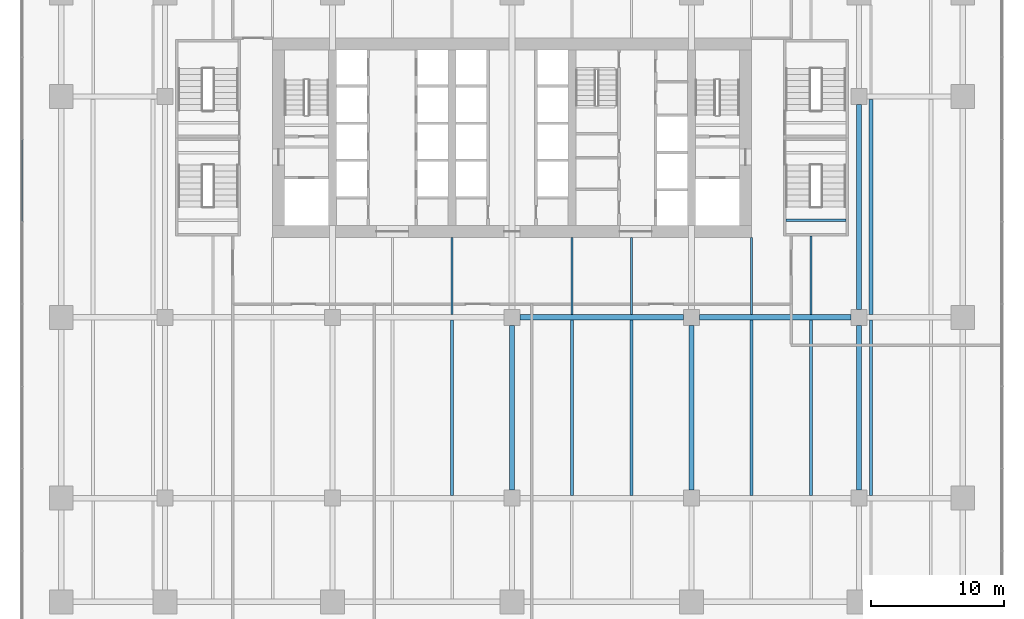
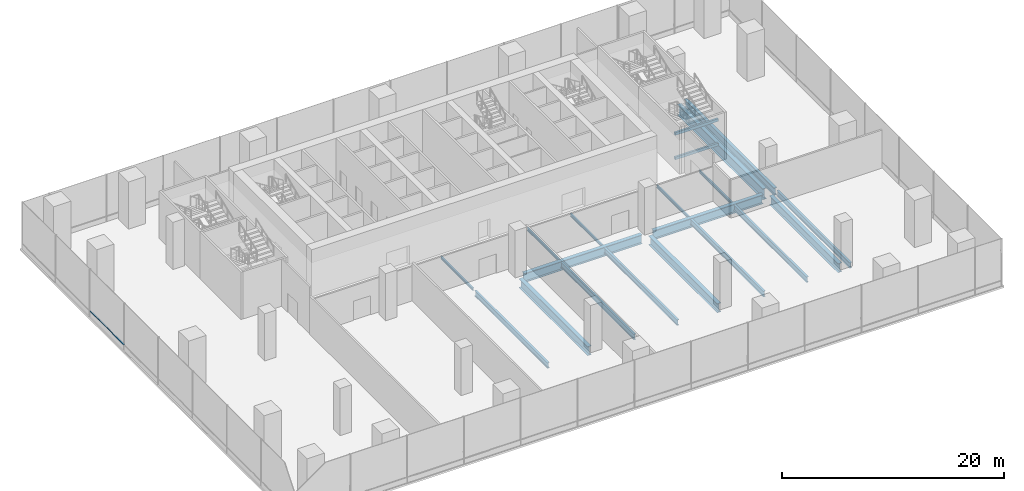
# One storey, part 8 of 26: 20 beams, 1 member, 1 element without a shape of its own.
"""IFC4 building model written with IfcOpenShell, lengths in metres."""

from ifc_helpers import new_model, si_unit, direction, frame, origin, origin_2d, place, context, subcontext, project, spatial, rectangle, i_section, extrude, material, layer, layer_set, material_profile, profile_set, type_object, element, aggregate, save


model = new_model("IFC4")

# Units and contexts
model_context = context("Model", 3, precision=1e-05, world=origin(), true_north=direction((0.0, 1.0)))
body_context = subcontext(model_context, "Body", "Model", "MODEL_VIEW")
ifc_project = project(units=[si_unit("LENGTHUNIT", "METRE"), si_unit("AREAUNIT", "SQUARE_METRE"), si_unit("VOLUMEUNIT", "CUBIC_METRE"), si_unit("PLANEANGLEUNIT", "RADIAN"), si_unit("MASSUNIT", "GRAM", prefix="KILO")], contexts=[model_context])

# Site, building, storey
site_placement = place(None, origin())
site = spatial("IfcSite", under=ifc_project, at=site_placement, CompositionType="ELEMENT")
building_placement = place(site_placement, origin())
building = spatial("IfcBuilding", under=site, at=building_placement, Name="Rattan Terrace Tower", CompositionType="ELEMENT")
storey_placement = place(building_placement, frame((0.0, 0.0, 7.199951171875)))
storey = spatial("IfcBuildingStorey", under=building, at=storey_placement, Name="L01", CompositionType="ELEMENT", Elevation=7.199951171875)

# Beams
ifc_material_1 = material(Name="Concrete C40/50", Category="concrete")
ifc_material_profile_1 = material_profile(ifc_material_1, rectangle(XDim=0.199951171875, YDim=0.300048828125, at=origin_2d()), Name="RC 200x300")
ifc_profile_set_1 = profile_set([ifc_material_profile_1], Name="Concrete C40/50")
beam_type_1 = type_object("IfcBeamType", Name="Core landing beam RC 200x300", PredefinedType="BEAM", material=ifc_profile_set_1)
for number, where, z_axis, x_axis, name in (
    (1, (20.60009765625, -6.199951171875, 1.0), (1.0, 0.0, 0.0), (0.0, 1.0, 0.0), "st-S6-L01 landing 1 edge beam"),
    (2, (20.60009765625, -6.199951171875, 3.699951171875), (1.0, 0.0, 0.0), (0.0, 1.0, 0.0), "st-S6-L01 landing 3 edge beam"),
):
    element("IfcBeam", number, at=place(storey_placement, frame(where, z_axis=z_axis, x_axis=x_axis)), inside=storey, type_object=beam_type_1, Name=name, PredefinedType="BEAM", context=body_context, shape_type="SweptSolid", body=[
        extrude(rectangle(XDim=0.199951171875, YDim=0.300048828125, at=origin_2d()), origin(), (0.0, 0.0, 1.0), 4.5),
    ])
ifc_material_2 = material(Name="Steel S355", Category="steel")
ifc_material_profile_2 = material_profile(ifc_material_2, i_section(OverallWidth=0.300048828125, OverallDepth=0.800048828125, WebThickness=0.017578125, FlangeThickness=0.032958984375, FilletRadius=0.030029296875, at=origin_2d()), Name="HE 800 B")
ifc_profile_set_2 = profile_set([ifc_material_profile_2], Name="Steel S355")
beam_type_2 = type_object("IfcBeamType", Name="Frame floor beam HE 800 B", PredefinedType="JOIST", material=ifc_profile_set_2)
beam_1_placement = place(storey_placement, frame((27.0, -13.300048828125, -0.599853515625), z_axis=(0.0, 1.0, 0.0), x_axis=(-1.0, 0.0, 0.0)))
element("IfcBeam", 3, at=beam_1_placement, inside=storey, type_object=beam_type_2, Name="bm-L01-037", PredefinedType="JOIST", context=body_context, shape_type="SweptSolid", body=[
    extrude(i_section(OverallWidth=0.300048828125, OverallDepth=0.800048828125, WebThickness=0.017578125, FlangeThickness=0.032958984375, FilletRadius=0.030029296875, at=origin_2d()), origin(), (0.0, 0.0, 1.0), 16.199951171875),
])
ifc_material_3 = material(Name="Steel S355", Category="steel")
ifc_material_profile_3 = material_profile(ifc_material_3, i_section(OverallWidth=0.14990234375, OverallDepth=0.300048828125, WebThickness=0.007080078125, FlangeThickness=0.0107421875, FilletRadius=0.014892578125, at=origin_2d()), Name="IPE 300")
ifc_profile_set_3 = profile_set([ifc_material_profile_3], Name="Steel S355")
beam_type_3 = type_object("IfcBeamType", Name="Frame floor beam IPE 300", PredefinedType="JOIST", material=ifc_profile_set_3)
for number, where, z_axis, x_axis, name in (
    (4, (-4.5, -13.300048828125, -0.349853515625), (0.0, 1.0, 0.0), (-1.0, 0.0, 0.0), "bm-L01-032"),
    (5, (4.5, -13.300048828125, -0.349853515625), (0.0, 1.0, 0.0), (-1.0, 0.0, 0.0), "bm-L01-033"),
    (6, (9.0, -13.300048828125, -0.349853515625), (0.0, 1.0, 0.0), (-1.0, 0.0, 0.0), "bm-L01-034"),
    (7, (18.0, -13.300048828125, -0.349853515625), (0.0, 1.0, 0.0), (-1.0, 0.0, 0.0), "bm-L01-035"),
):
    element("IfcBeam", number, at=place(storey_placement, frame(where, z_axis=z_axis, x_axis=x_axis)), inside=storey, type_object=beam_type_3, Name=name, PredefinedType="JOIST", context=body_context, shape_type="SweptSolid", body=[
        extrude(i_section(OverallWidth=0.14990234375, OverallDepth=0.300048828125, WebThickness=0.007080078125, FlangeThickness=0.0107421875, FilletRadius=0.014892578125, at=origin_2d()), origin(), (0.0, 0.0, 1.0), 5.800048828125),
    ])
beam_2_placement = place(storey_placement, frame((22.5, -13.300048828125, -0.349853515625), z_axis=(0.0, 1.0, 0.0), x_axis=(-1.0, 0.0, 0.0)))
element("IfcBeam", 8, at=beam_2_placement, inside=storey, type_object=beam_type_3, Name="bm-L01-036", PredefinedType="JOIST", context=body_context, shape_type="SweptSolid", body=[
    extrude(i_section(OverallWidth=0.14990234375, OverallDepth=0.300048828125, WebThickness=0.007080078125, FlangeThickness=0.0107421875, FilletRadius=0.014892578125, at=origin_2d()), origin(), (0.0, 0.0, 1.0), 5.900146484375),
])
ifc_material_4 = material(Name="Steel S355", Category="steel")
ifc_material_profile_4 = material_profile(ifc_material_4, i_section(OverallWidth=0.22412109375, OverallDepth=0.610107421875, WebThickness=0.014892578125, FlangeThickness=0.02392578125, FilletRadius=0.02392578125, at=origin_2d()), Name="IPE O 600")
ifc_profile_set_4 = profile_set([ifc_material_profile_4], Name="Steel S355")
beam_type_4 = type_object("IfcBeamType", Name="Frame floor beam IPE O 600", PredefinedType="JOIST", material=ifc_profile_set_4)
for number, where, z_axis, x_axis, name in (
    (9, (-4.5, -26.89990234375, -0.5048828125), (0.0, 1.0, 0.0), (-1.0, 0.0, 0.0), "bm-L01-020"),
    (10, (4.5, -26.89990234375, -0.5048828125), (0.0, 1.0, 0.0), (-1.0, 0.0, 0.0), "bm-L01-021"),
    (11, (9.0, -26.89990234375, -0.5048828125), (0.0, 1.0, 0.0), (-1.0, 0.0, 0.0), "bm-L01-022"),
    (12, (18.0, -26.89990234375, -0.5048828125), (0.0, 1.0, 0.0), (-1.0, 0.0, 0.0), "bm-L01-023"),
    (13, (22.5, -26.89990234375, -0.5048828125), (0.0, 1.0, 0.0), (-1.0, 0.0, 0.0), "bm-L01-024"),
    (14, (27.0, -26.89990234375, -0.5048828125), (0.0, 1.0, 0.0), (-1.0, 0.0, 0.0), "bm-L01-025"),
):
    element("IfcBeam", number, at=place(storey_placement, frame(where, z_axis=z_axis, x_axis=x_axis)), inside=storey, type_object=beam_type_4, Name=name, PredefinedType="JOIST", context=body_context, shape_type="SweptSolid", body=[
        extrude(i_section(OverallWidth=0.22412109375, OverallDepth=0.610107421875, WebThickness=0.014892578125, FlangeThickness=0.02392578125, FilletRadius=0.02392578125, at=origin_2d()), origin(), (0.0, 0.0, 1.0), 13.199951171875),
    ])
ifc_material_5 = material(Name="Steel S460", Category="steel")
ifc_material_profile_5 = material_profile(ifc_material_5, i_section(OverallWidth=0.39990234375, OverallDepth=1.0, WebThickness=0.01806640625, FlangeThickness=0.044921875, at=origin_2d()), Name="PG 1000x400-18-45")
ifc_profile_set_5 = profile_set([ifc_material_profile_5], Name="Steel S460")
beam_type_5 = type_object("IfcBeamType", Name="Frame podium girder PG 1000x400-18-45", PredefinedType="USERDEFINED", material=ifc_profile_set_5)
for number, where, z_axis, x_axis, name in (
    (15, (0.0, -26.5, -0.699951171875), (0.0, 1.0, 0.0), (-1.0, 0.0, 0.0), "gdr-L01-022"),
    (16, (13.5, -26.5, -0.699951171875), (0.0, 1.0, 0.0), (-1.0, 0.0, 0.0), "gdr-L01-023"),
    (17, (26.10009765625, -26.5, -0.699951171875), (0.0, 1.0, 0.0), (-1.0, 0.0, 0.0), "gdr-L01-024"),
):
    element("IfcBeam", number, at=place(storey_placement, frame(where, z_axis=z_axis, x_axis=x_axis)), inside=storey, type_object=beam_type_5, Name=name, ObjectType="PODIUM GIRDER", PredefinedType="USERDEFINED", context=body_context, shape_type="SweptSolid", body=[
        extrude(i_section(OverallWidth=0.39990234375, OverallDepth=1.0, WebThickness=0.01806640625, FlangeThickness=0.044921875, at=origin_2d()), origin(), (0.0, 0.0, 1.0), 12.39990234375),
    ])
beam_3_placement = place(storey_placement, frame((0.60009765625, -13.5, -0.699951171875), z_axis=(1.0, 0.0, 0.0), x_axis=(0.0, 1.0, 0.0)))
element("IfcBeam", 18, at=beam_3_placement, inside=storey, type_object=beam_type_5, Name="gdr-L01-030", ObjectType="PODIUM GIRDER", PredefinedType="USERDEFINED", context=body_context, shape_type="SweptSolid", body=[
    extrude(i_section(OverallWidth=0.39990234375, OverallDepth=1.0, WebThickness=0.01806640625, FlangeThickness=0.044921875, at=origin_2d()), origin(), (0.0, 0.0, 1.0), 12.2998046875),
])
beam_4_placement = place(storey_placement, frame((14.10009765625, -13.5, -0.699951171875), z_axis=(1.0, 0.0, 0.0), x_axis=(0.0, 1.0, 0.0)))
element("IfcBeam", 19, at=beam_4_placement, inside=storey, type_object=beam_type_5, Name="gdr-L01-031", ObjectType="PODIUM GIRDER", PredefinedType="USERDEFINED", context=body_context, shape_type="SweptSolid", body=[
    extrude(i_section(OverallWidth=0.39990234375, OverallDepth=1.0, WebThickness=0.01806640625, FlangeThickness=0.044921875, at=origin_2d()), origin(), (0.0, 0.0, 1.0), 11.39990234375),
])
ifc_material_6 = material(Name="Steel S460", Category="steel")
ifc_material_profile_6 = material_profile(ifc_material_6, i_section(OverallWidth=0.39990234375, OverallDepth=1.199951171875, WebThickness=0.02001953125, FlangeThickness=0.050048828125, at=origin_2d()), Name="PG 1200x400-20-50")
ifc_profile_set_6 = profile_set([ifc_material_profile_6], Name="Steel S460")
beam_type_6 = type_object("IfcBeamType", Name="Frame podium girder PG 1200x400-20-50", PredefinedType="USERDEFINED", material=ifc_profile_set_6)
beam_5_placement = place(storey_placement, frame((26.10009765625, -12.89990234375, -0.800048828125), z_axis=(0.0, 1.0, 0.0), x_axis=(-1.0, 0.0, 0.0)))
element("IfcBeam", 20, at=beam_5_placement, inside=storey, type_object=beam_type_6, Name="gdr-L01-037", ObjectType="PODIUM GIRDER", PredefinedType="USERDEFINED", context=body_context, shape_type="SweptSolid", body=[
    extrude(i_section(OverallWidth=0.39990234375, OverallDepth=1.199951171875, WebThickness=0.02001953125, FlangeThickness=0.050048828125, at=origin_2d()), origin(), (0.0, 0.0, 1.0), 15.39990234375),
])

# Curtain wall, member
ifc_material_7 = material(Name="Aluminium and glass", Category="aluminium")
ifc_layer = layer(ifc_material_7, 0.1201171875)
ifc_layer_set = layer_set([ifc_layer], Name="Station Storefront Curtain Wall")
curtain_wall_type = type_object("IfcCurtainWallType", Name="Station Storefront Curtain Wall", PredefinedType="NOTDEFINED", material=ifc_layer_set)
curtain_wall_placement = place(storey_placement, origin())
curtain_wall = element("IfcCurtainWall", 21, at=curtain_wall_placement, inside=storey, type_object=curtain_wall_type, Name="Storefront curtain wall L01-3", PredefinedType="NOTDEFINED")
ifc_material_8 = material(Name="Aluminium", Category="aluminium")
ifc_material_profile_7 = material_profile(ifc_material_8, rectangle(XDim=0.10009765625, YDim=0.050048828125, at=origin_2d()), Name="Aluminium 100x50")
ifc_profile_set_7 = profile_set([ifc_material_profile_7], Name="Aluminium")
member_type = type_object("IfcMemberType", Name="Storefront CW Transom 100x50", PredefinedType="USERDEFINED", material=ifc_profile_set_7)
member_placement = place(storey_placement, frame((-36.830078125, -0.15087890625, 0.60009765625), z_axis=(0.0, -1.0, 0.0), x_axis=(1.0, 0.0, 0.0)))
member = element("IfcMember", 22, at=member_placement, type_object=member_type, Name="Transom cwl-L01-003.3", ObjectType="TRANSOM", PredefinedType="USERDEFINED", context=body_context, shape_type="SweptSolid", body=[
    extrude(rectangle(XDim=0.10009765625, YDim=0.050048828125, at=origin_2d()), origin(), (0.0, 0.0, 1.0), 6.13818359375),
])
aggregate(curtain_wall, [member])

save(model, "model.ifc")
